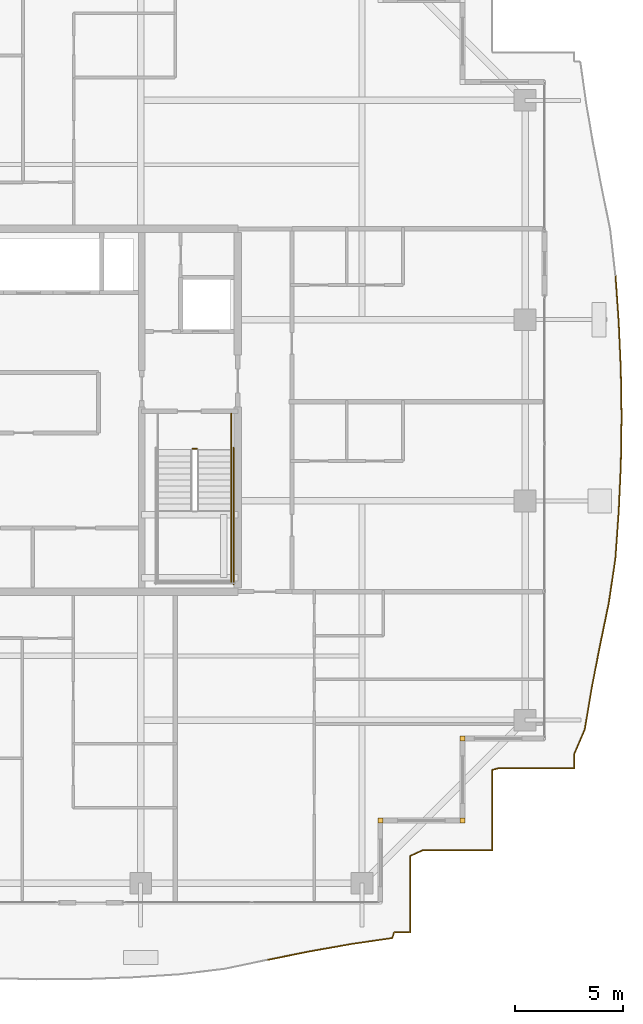
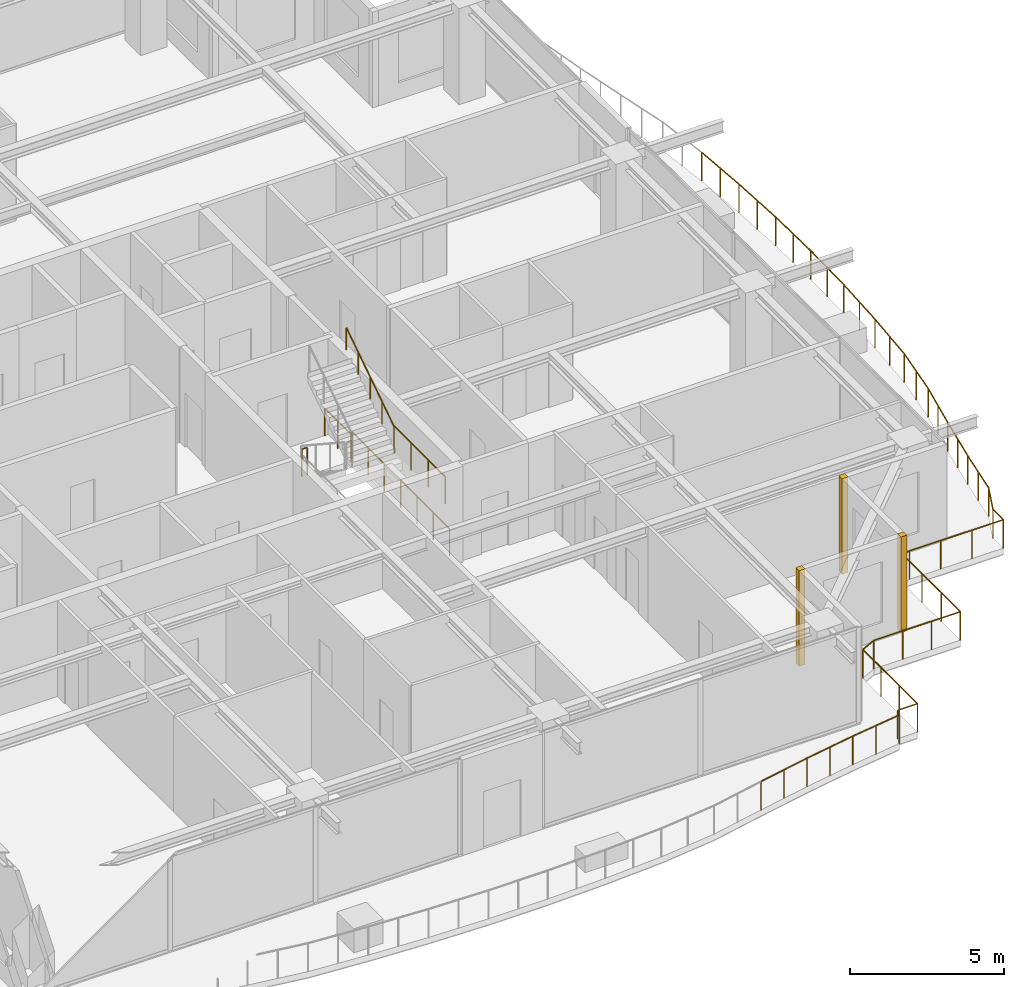
# One storey, part 41 of 42: 8 railings, 3 coverings.
"""IFC4 building model written with IfcOpenShell, lengths in metres."""

from ifc_helpers import new_model, si_unit, direction, frame, origin, origin_2d, place, context, subcontext, project, spatial, rectangle, circle, extrude, source, transform, mapped, material, layer, layer_set, type_object, element, save


model = new_model("IFC4")

# Units and contexts
model_context = context("Model", 3, precision=1e-05, world=origin(), true_north=direction((0.0, 1.0)))
body_context = subcontext(model_context, "Body", "Model", "MODEL_VIEW")
ifc_project = project(units=[si_unit("LENGTHUNIT", "METRE"), si_unit("AREAUNIT", "SQUARE_METRE"), si_unit("VOLUMEUNIT", "CUBIC_METRE"), si_unit("PLANEANGLEUNIT", "RADIAN"), si_unit("MASSUNIT", "GRAM", prefix="KILO")], contexts=[model_context])

# Site, building, storey
site_placement = place(None, origin())
site = spatial("IfcSite", under=ifc_project, at=site_placement, CompositionType="ELEMENT")
building_placement = place(site_placement, origin())
building = spatial("IfcBuilding", under=site, at=building_placement, Name="Serunith Strait Residences", CompositionType="ELEMENT")
storey_placement = place(building_placement, frame((0.0, 0.0, 309.64990234375)))
storey = spatial("IfcBuildingStorey", under=building, at=storey_placement, Name="L77", CompositionType="ELEMENT", Elevation=309.64990234375)

# Railings
ifc_material_1 = material(Name="Stainless Steel & Laminated Glass Balustrade", Category="steel")
railing_type_1 = type_object("IfcRailingType", Name="RLG-BALC-1150", PredefinedType="BALUSTRADE", material=ifc_material_1)
railing_1_placement = place(storey_placement, frame((58.889892578125, 31.4609375, -0.0498046875)))
element("IfcRailing", 1, at=railing_1_placement, inside=storey, type_object=railing_type_1, Name="L77 Swirling Balcony Perimeter Balustrade 4", PredefinedType="BALUSTRADE", context=body_context, shape_type="SweptSolid", body=[
    extrude(circle(Radius=0.02392578125, at=origin_2d()), frame((0.000244140625, -0.001953125, 1.1259765625), z_axis=(0.068721030933, -0.997635915506, 0.0), x_axis=(0.997635915506, 0.068721030933, 0.0)), (0.0, 0.0, 1.0), 2.166748046875),
    extrude(circle(Radius=0.02392578125, at=origin_2d()), frame((0.149169921875, -2.16748046875, 1.1259765625), z_axis=(0.044691557416, -0.999000833181, 0.0), x_axis=(0.999000833181, 0.044691557416, 0.0)), (0.0, 0.0, 1.0), 2.192138671875),
    extrude(circle(Radius=0.02392578125, at=origin_2d()), frame((0.247314453125, -4.361328125, 1.1259765625), z_axis=(0.015911346065, -0.99987340652, 0.0), x_axis=(0.99987340652, 0.015911346065, 0.0)), (0.0, 0.0, 1.0), 2.20556640625),
    extrude(circle(Radius=0.02392578125, at=origin_2d()), frame((0.282470703125, -6.570556640625, 1.1259765625), z_axis=(-0.015141405399, -0.99988536235, 0.0), x_axis=(0.99988536235, -0.015141405399, 0.0)), (0.0, 0.0, 1.0), 2.205078125),
    extrude(circle(Radius=0.02392578125, at=origin_2d()), frame((0.2490234375, -8.779296875, 1.1259765625), z_axis=(-0.045296596262, -0.998973582417, 0.0), x_axis=(0.998973582417, -0.045296596262, 0.0)), (0.0, 0.0, 1.0), 2.189697265625),
    extrude(circle(Radius=0.02392578125, at=origin_2d()), frame((0.1494140625, -10.970703125, 1.1259765625), z_axis=(-0.071110899356, -0.997468415536, 0.0), x_axis=(0.997468415536, -0.071110899356, 0.0)), (0.0, 0.0, 1.0), 2.162353515625),
    extrude(circle(Radius=0.02392578125, at=origin_2d()), frame((-0.004638671875, -13.131591796875, 1.1259765625), z_axis=(-0.147053005237, -0.989128613301, 0.0), x_axis=(0.989128613301, -0.147053005237, 0.0)), (0.0, 0.0, 1.0), 2.10107421875),
    extrude(circle(Radius=0.02099609375, at=origin_2d()), origin(), (0.0, 0.0, 1.0), 1.099853515625),
    extrude(circle(Radius=0.02099609375, at=origin_2d()), frame((0.07470703125, -1.082763671875, 0.0)), (0.0, 0.0, 1.0), 1.099853515625),
    extrude(circle(Radius=0.02099609375, at=origin_2d()), frame((0.149169921875, -2.16552734375, 0.0)), (0.0, 0.0, 1.0), 1.099853515625),
    extrude(circle(Radius=0.02099609375, at=origin_2d()), frame((0.1982421875, -3.262451171875, 0.0)), (0.0, 0.0, 1.0), 1.099853515625),
    extrude(circle(Radius=0.02099609375, at=origin_2d()), frame((0.247314453125, -4.359375, 0.0)), (0.0, 0.0, 1.0), 1.099853515625),
    extrude(circle(Radius=0.02099609375, at=origin_2d()), frame((0.264892578125, -5.4638671875, 0.0)), (0.0, 0.0, 1.0), 1.099853515625),
    extrude(circle(Radius=0.02099609375, at=origin_2d()), frame((0.282470703125, -6.568603515625, 0.0)), (0.0, 0.0, 1.0), 1.099853515625),
    extrude(circle(Radius=0.02099609375, at=origin_2d()), frame((0.265625, -7.6728515625, 0.0)), (0.0, 0.0, 1.0), 1.099853515625),
    extrude(circle(Radius=0.02099609375, at=origin_2d()), frame((0.2490234375, -8.77734375, 0.0)), (0.0, 0.0, 1.0), 1.099853515625),
    extrude(circle(Radius=0.02099609375, at=origin_2d()), frame((0.19921875, -9.873046875, 0.0)), (0.0, 0.0, 1.0), 1.099853515625),
    extrude(circle(Radius=0.02099609375, at=origin_2d()), frame((0.149658203125, -10.96875, 0.0)), (0.0, 0.0, 1.0), 1.099853515625),
    extrude(circle(Radius=0.02099609375, at=origin_2d()), frame((0.07275390625, -12.04931640625, 0.0)), (0.0, 0.0, 1.0), 1.099853515625),
    extrude(circle(Radius=0.02099609375, at=origin_2d()), frame((-0.00439453125, -13.129638671875, 0.0)), (0.0, 0.0, 1.0), 1.099853515625),
    extrude(circle(Radius=0.02099609375, at=origin_2d()), frame((-0.1591796875, -14.1708984375, 0.0)), (0.0, 0.0, 1.0), 1.099853515625),
    extrude(circle(Radius=0.02099609375, at=origin_2d()), frame((-0.31396484375, -15.2119140625, 0.0)), (0.0, 0.0, 1.0), 1.099853515625),
])
railing_2_placement = place(storey_placement, frame((58.575927734375, 16.2490234375, -0.0498046875)))
element("IfcRailing", 2, at=railing_2_placement, inside=storey, type_object=railing_type_1, Name="L77 Swirling Balcony Perimeter Balustrade 5", PredefinedType="BALUSTRADE", context=body_context, shape_type="SweptSolid", body=[
    extrude(circle(Radius=0.02392578125, at=origin_2d()), frame((-0.00048828125, -0.001953125, 1.1259765625), z_axis=(-0.203536311286, -0.979067398083, 0.0), x_axis=(0.979067398083, -0.203536311286, 0.0)), (0.0, 0.0, 1.0), 2.025634765625),
    extrude(circle(Radius=0.02392578125, at=origin_2d()), frame((-0.41357421875, -1.989013671875, 1.1259765625), z_axis=(-0.19047568928, -0.981691912869, 0.0), x_axis=(0.981691912869, -0.19047568928, 0.0)), (0.0, 0.0, 1.0), 1.969970703125),
    extrude(circle(Radius=0.02392578125, at=origin_2d()), frame((-0.789306640625, -3.9267578125, 1.1259765625), z_axis=(-0.165933472586, -0.98613694925, 0.0), x_axis=(0.98613694925, -0.165933472586, 0.0)), (0.0, 0.0, 1.0), 1.9306640625),
    extrude(circle(Radius=0.02392578125, at=origin_2d()), frame((-1.11083984375, -5.834716796875, 1.1259765625), z_axis=(-0.395959532566, -0.918267961202, 0.0), x_axis=(0.918267961202, -0.395959532566, 0.0)), (0.0, 0.0, 1.0), 1.222900390625),
    extrude(circle(Radius=0.02392578125, at=origin_2d()), frame((-1.595947265625, -6.96142578125, 1.1259765625), z_axis=(0.0, -1.0, 0.0), x_axis=(1.0, 0.0, 0.0)), (0.0, 0.0, 1.0), 0.66552734375),
    extrude(circle(Radius=0.02392578125, at=origin_2d()), frame((-1.597900390625, -7.62890625, 1.1259765625), z_axis=(-1.0, 0.0, 0.0), x_axis=(0.0, -1.0, 0.0)), (0.0, 0.0, 1.0), 3.503173828125),
    extrude(circle(Radius=0.02392578125, at=origin_2d()), frame((-5.10498046875, -7.62939453125, 1.1259765625), z_axis=(-0.969952015202, -0.243296297147, 0.0), x_axis=(0.243296297147, -0.969952015202, 0.0)), (0.0, 0.0, 1.0), 0.298095703125),
    extrude(circle(Radius=0.02392578125, at=origin_2d()), frame((-5.39599609375, -7.704345703125, 1.1259765625), z_axis=(0.0, -1.0, 0.0), x_axis=(1.0, 0.0, 0.0)), (0.0, 0.0, 1.0), 3.72265625),
    extrude(circle(Radius=0.02099609375, at=origin_2d()), origin(), (0.0, 0.0, 1.0), 1.099853515625),
    extrude(circle(Radius=0.02099609375, at=origin_2d()), frame((-0.20654296875, -0.99365234375, 0.0)), (0.0, 0.0, 1.0), 1.099853515625),
    extrude(circle(Radius=0.02099609375, at=origin_2d()), frame((-0.4130859375, -1.987060546875, 0.0)), (0.0, 0.0, 1.0), 1.099853515625),
    extrude(circle(Radius=0.02099609375, at=origin_2d()), frame((-0.60107421875, -2.9560546875, 0.0)), (0.0, 0.0, 1.0), 1.099853515625),
    extrude(circle(Radius=0.02099609375, at=origin_2d()), frame((-0.7890625, -3.9248046875, 0.0)), (0.0, 0.0, 1.0), 1.099853515625),
    extrude(circle(Radius=0.02099609375, at=origin_2d()), frame((-0.94970703125, -4.87890625, 0.0)), (0.0, 0.0, 1.0), 1.099853515625),
    extrude(circle(Radius=0.02099609375, at=origin_2d()), frame((-1.110107421875, -5.832763671875, 0.0)), (0.0, 0.0, 1.0), 1.099853515625),
    extrude(circle(Radius=0.02099609375, at=origin_2d()), frame((-1.595947265625, -6.95947265625, 0.0)), (0.0, 0.0, 1.0), 1.099853515625),
    extrude(circle(Radius=0.02099609375, at=origin_2d()), frame((-1.595947265625, -7.62890625, 0.0)), (0.0, 0.0, 1.0), 1.099853515625),
    extrude(circle(Radius=0.02099609375, at=origin_2d()), frame((-2.764892578125, -7.62890625, 0.0)), (0.0, 0.0, 1.0), 1.099853515625),
    extrude(circle(Radius=0.02099609375, at=origin_2d()), frame((-3.93408203125, -7.62890625, 0.0)), (0.0, 0.0, 1.0), 1.099853515625),
    extrude(circle(Radius=0.02099609375, at=origin_2d()), frame((-5.10302734375, -7.62890625, 0.0)), (0.0, 0.0, 1.0), 1.099853515625),
    extrude(circle(Radius=0.02099609375, at=origin_2d()), frame((-5.39599609375, -7.702392578125, 0.0)), (0.0, 0.0, 1.0), 1.099853515625),
    extrude(circle(Radius=0.02099609375, at=origin_2d()), frame((-5.39599609375, -8.944580078125, 0.0)), (0.0, 0.0, 1.0), 1.099853515625),
    extrude(circle(Radius=0.02099609375, at=origin_2d()), frame((-5.39599609375, -10.186767578125, 0.0)), (0.0, 0.0, 1.0), 1.099853515625),
    extrude(circle(Radius=0.02099609375, at=origin_2d()), frame((-5.39599609375, -11.428955078125, 0.0)), (0.0, 0.0, 1.0), 1.099853515625),
])
railing_3_placement = place(storey_placement, frame((53.179931640625, 4.820068359375, -0.0498046875)))
element("IfcRailing", 3, at=railing_3_placement, inside=storey, type_object=railing_type_1, Name="L77 Swirling Balcony Perimeter Balustrade 6", PredefinedType="BALUSTRADE", context=body_context, shape_type="SweptSolid", body=[
    extrude(circle(Radius=0.02392578125, at=origin_2d()), frame((-0.001953125, 0.0, 1.1259765625), z_axis=(-1.0, 0.0, 0.0), x_axis=(0.0, -1.0, 0.0)), (0.0, 0.0, 1.0), 3.22998046875),
    extrude(circle(Radius=0.02392578125, at=origin_2d()), frame((-3.235595703125, -0.0009765625, 1.1259765625), z_axis=(-0.90411060737, -0.427298501801, 0.0), x_axis=(0.427298501801, -0.90411060737, 0.0)), (0.0, 0.0, 1.0), 0.622314453125),
    extrude(circle(Radius=0.02392578125, at=origin_2d()), frame((-3.800048828125, -0.26953125, 1.1259765625), z_axis=(0.0, -1.0, 0.0), x_axis=(1.0, 0.0, 0.0)), (0.0, 0.0, 1.0), 3.528564453125),
    extrude(circle(Radius=0.02392578125, at=origin_2d()), frame((-3.802001953125, -3.800048828125, 1.1259765625), z_axis=(-1.0, 0.0, 0.0), x_axis=(0.0, -1.0, 0.0)), (0.0, 0.0, 1.0), 0.738525390625),
    extrude(circle(Radius=0.02392578125, at=origin_2d()), frame((-4.543212890625, -3.802001953125, 1.1259765625), z_axis=(-0.311970444134, -0.950091807136, 0.0), x_axis=(0.950091807136, -0.311970444134, 0.0)), (0.0, 0.0, 1.0), 0.271484375),
    extrude(circle(Radius=0.02392578125, at=origin_2d()), frame((-4.63037109375, -4.06201171875, 1.1259765625), z_axis=(-0.989477539916, -0.144686550864, 0.0), x_axis=(0.144686550864, -0.989477539916, 0.0)), (0.0, 0.0, 1.0), 1.9111328125),
    extrude(circle(Radius=0.02392578125, at=origin_2d()), frame((-6.525390625, -4.339111328125, 1.1259765625), z_axis=(-0.984727786666, -0.17410108032, 0.0), x_axis=(0.17410108032, -0.984727786666, 0.0)), (0.0, 0.0, 1.0), 1.936767578125),
    extrude(circle(Radius=0.02392578125, at=origin_2d()), frame((-8.4365234375, -4.67724609375, 1.1259765625), z_axis=(-0.980252954779, -0.197747679248, 0.0), x_axis=(0.197747679248, -0.980252954779, 0.0)), (0.0, 0.0, 1.0), 1.981201171875),
    extrude(circle(Radius=0.02099609375, at=origin_2d()), origin(), (0.0, 0.0, 1.0), 1.099853515625),
    extrude(circle(Radius=0.02099609375, at=origin_2d()), frame((-1.077880859375, 0.0, 0.0)), (0.0, 0.0, 1.0), 1.099853515625),
    extrude(circle(Radius=0.02099609375, at=origin_2d()), frame((-2.156005859375, 0.0, 0.0)), (0.0, 0.0, 1.0), 1.099853515625),
    extrude(circle(Radius=0.02099609375, at=origin_2d()), frame((-3.23388671875, 0.0, 0.0)), (0.0, 0.0, 1.0), 1.099853515625),
    extrude(circle(Radius=0.02099609375, at=origin_2d()), frame((-3.800048828125, -0.267578125, 0.0)), (0.0, 0.0, 1.0), 1.099853515625),
    extrude(circle(Radius=0.02099609375, at=origin_2d()), frame((-3.800048828125, -1.445068359375, 0.0)), (0.0, 0.0, 1.0), 1.099853515625),
    extrude(circle(Radius=0.02099609375, at=origin_2d()), frame((-3.800048828125, -2.62255859375, 0.0)), (0.0, 0.0, 1.0), 1.099853515625),
    extrude(circle(Radius=0.02099609375, at=origin_2d()), frame((-3.800048828125, -3.800048828125, 0.0)), (0.0, 0.0, 1.0), 1.099853515625),
    extrude(circle(Radius=0.02099609375, at=origin_2d()), frame((-4.54248046875, -3.800048828125, 0.0)), (0.0, 0.0, 1.0), 1.099853515625),
    extrude(circle(Radius=0.02099609375, at=origin_2d()), frame((-4.62841796875, -4.061767578125, 0.0)), (0.0, 0.0, 1.0), 1.099853515625),
    extrude(circle(Radius=0.02099609375, at=origin_2d()), frame((-5.575927734375, -4.2001953125, 0.0)), (0.0, 0.0, 1.0), 1.099853515625),
    extrude(circle(Radius=0.02099609375, at=origin_2d()), frame((-6.5234375, -4.3388671875, 0.0)), (0.0, 0.0, 1.0), 1.099853515625),
    extrude(circle(Radius=0.02099609375, at=origin_2d()), frame((-7.47900390625, -4.5078125, 0.0)), (0.0, 0.0, 1.0), 1.099853515625),
    extrude(circle(Radius=0.02099609375, at=origin_2d()), frame((-8.4345703125, -4.6767578125, 0.0)), (0.0, 0.0, 1.0), 1.099853515625),
    extrude(circle(Radius=0.02099609375, at=origin_2d()), frame((-9.40771484375, -4.873046875, 0.0)), (0.0, 0.0, 1.0), 1.099853515625),
    extrude(circle(Radius=0.02099609375, at=origin_2d()), frame((-10.380615234375, -5.0693359375, 0.0)), (0.0, 0.0, 1.0), 1.099853515625),
])
ifc_material_2 = material(Name="Brushed stainless steel 316L", Category="steel")
railing_type_2 = type_object("IfcRailingType", Name="RLG-STAIR-GUARD", PredefinedType="BALUSTRADE", material=ifc_material_2)
railing_4_placement = place(storey_placement, frame((41.10009765625, 20.570068359375, 2.025146484375)))
element("IfcRailing", 4, at=railing_4_placement, inside=storey, type_object=railing_type_2, Name="L77 ST-2 stair guard 4", PredefinedType="BALUSTRADE", context=body_context, shape_type="SweptSolid", body=[
    extrude(circle(Radius=0.02392578125, at=origin_2d()), frame((0.0, -0.001953125, 1.076171875), z_axis=(0.0, -1.0, 0.0), x_axis=(1.0, 0.0, 0.0)), (0.0, 0.0, 1.0), 3.316162109375),
    extrude(circle(Radius=0.02099609375, at=origin_2d()), origin(), (0.0, 0.0, 1.0), 1.050048828125),
    extrude(circle(Radius=0.02099609375, at=origin_2d()), frame((0.0, -1.106689453125, 0.0)), (0.0, 0.0, 1.0), 1.050048828125),
    extrude(circle(Radius=0.02099609375, at=origin_2d()), frame((0.0, -2.21337890625, 0.0)), (0.0, 0.0, 1.0), 1.050048828125),
    extrude(circle(Radius=0.02099609375, at=origin_2d()), frame((0.0, -3.320068359375, 0.0)), (0.0, 0.0, 1.0), 1.050048828125),
])
railing_5_placement = place(storey_placement, frame((39.300048828125, 23.419921875, 0.0)))
element("IfcRailing", 5, at=railing_5_placement, inside=storey, type_object=railing_type_2, Name="L77 ST-2 stair guard 7", PredefinedType="BALUSTRADE", context=body_context, shape_type="SweptSolid", body=[
    extrude(circle(Radius=0.02392578125, at=origin_2d()), frame((0.001953125, 0.0, 1.076171875), z_axis=(1.0, 0.0, 0.0), x_axis=(0.0, 1.0, 0.0)), (0.0, 0.0, 1.0), 0.196044921875),
    extrude(circle(Radius=0.02099609375, at=origin_2d()), origin(), (0.0, 0.0, 1.0), 1.050048828125),
    extrude(circle(Radius=0.02099609375, at=origin_2d()), frame((0.199951171875, 0.0, 0.0)), (0.0, 0.0, 1.0), 1.050048828125),
])
railing_6_placement = place(storey_placement, frame((41.10009765625, 25.050048828125, 0.0)))
element("IfcRailing", 6, at=railing_6_placement, inside=storey, type_object=railing_type_2, Name="L77 ST-2 stair guard 9", PredefinedType="BALUSTRADE", context=body_context, shape_type="SweptSolid", body=[
    extrude(circle(Radius=0.02392578125, at=origin_2d()), frame((0.0, -0.001953125, 1.076171875), z_axis=(0.0, -1.0, 0.0), x_axis=(1.0, 0.0, 0.0)), (0.0, 0.0, 1.0), 1.676025390625),
    extrude(circle(Radius=0.02099609375, at=origin_2d()), origin(), (0.0, 0.0, 1.0), 1.050048828125),
    extrude(circle(Radius=0.02099609375, at=origin_2d()), frame((0.0, -0.83984375, 0.0)), (0.0, 0.0, 1.0), 1.050048828125),
    extrude(circle(Radius=0.02099609375, at=origin_2d()), frame((0.0, -1.679931640625, 0.0)), (0.0, 0.0, 1.0), 1.050048828125),
])
railing_7_placement = place(storey_placement, frame((41.199951171875, 23.469970703125, 0.0)))
element("IfcRailing", 7, at=railing_7_placement, inside=storey, type_object=railing_type_2, Name="L77 ST-2 stair guard 11", PredefinedType="BALUSTRADE", context=body_context, shape_type="SweptSolid", body=[
    extrude(circle(Radius=0.02392578125, at=origin_2d()), frame((0.0, -0.001953125, 1.076171875), z_axis=(0.0, -1.0, 0.0), x_axis=(1.0, 0.0, 0.0)), (0.0, 0.0, 1.0), 6.316162109375),
    extrude(circle(Radius=0.02099609375, at=origin_2d()), origin(), (0.0, 0.0, 1.0), 1.050048828125),
    extrude(circle(Radius=0.02099609375, at=origin_2d()), frame((0.0, -1.05322265625, 0.0)), (0.0, 0.0, 1.0), 1.050048828125),
    extrude(circle(Radius=0.02099609375, at=origin_2d()), frame((0.0, -2.106689453125, 0.0)), (0.0, 0.0, 1.0), 1.050048828125),
    extrude(circle(Radius=0.02099609375, at=origin_2d()), frame((0.0, -3.16015625, 0.0)), (0.0, 0.0, 1.0), 1.050048828125),
    extrude(circle(Radius=0.02099609375, at=origin_2d()), frame((0.0, -4.21337890625, 0.0)), (0.0, 0.0, 1.0), 1.050048828125),
    extrude(circle(Radius=0.02099609375, at=origin_2d()), frame((0.0, -5.2666015625, 0.0)), (0.0, 0.0, 1.0), 1.050048828125),
    extrude(circle(Radius=0.02099609375, at=origin_2d()), frame((0.0, -6.320068359375, 0.0)), (0.0, 0.0, 1.0), 1.050048828125),
])
railing_type_3 = type_object("IfcRailingType", Name="RLG-STAIR-HR", PredefinedType="HANDRAIL", material=ifc_material_2)
railing_8_placement = place(storey_placement, frame((41.10009765625, 20.570068359375, 2.209228515625)))
element("IfcRailing", 8, at=railing_8_placement, inside=storey, type_object=railing_type_3, Name="L77 ST-2 stair handrail 2", PredefinedType="HANDRAIL", context=body_context, shape_type="SweptSolid", body=[
    extrude(circle(Radius=0.02392578125, at=origin_2d()), frame((0.0, 0.001708984375, 0.876953125), z_axis=(0.0, 0.834940924727, 0.550339579002), x_axis=(-1.0, 0.0, 0.0)), (0.0, 0.0, 1.0), 3.6845703125),
    extrude(circle(Radius=0.02099609375, at=origin_2d()), origin(), (0.0, 0.0, 1.0), 0.849853515625),
    extrude(circle(Radius=0.02099609375, at=origin_2d()), frame((0.0, 0.77001953125, 0.507568359375)), (0.0, 0.0, 1.0), 0.849853515625),
    extrude(circle(Radius=0.02099609375, at=origin_2d()), frame((0.0, 1.5400390625, 1.01513671875)), (0.0, 0.0, 1.0), 0.849853515625),
    extrude(circle(Radius=0.02099609375, at=origin_2d()), frame((0.0, 2.309814453125, 1.5224609375)), (0.0, 0.0, 1.0), 0.849853515625),
    extrude(circle(Radius=0.02099609375, at=origin_2d()), frame((0.0, 3.079833984375, 2.030029296875)), (0.0, 0.0, 1.0), 0.849853515625),
])

# Coverings
ifc_material_3 = material(Name="Pale-Champagne Anodised Aluminium", Category="aluminium")
ifc_layer = layer(ifc_material_3, 0.219970703125, Name="Pale-Champagne Anodised Aluminium")
ifc_layer_set = layer_set([ifc_layer], Name="Pale-Champagne Anodised Aluminium")
covering_type = type_object("IfcCoveringType", Name="COV-CORN-TRIM", PredefinedType="CLADDING", material=ifc_layer_set)
shared_shape = source(origin(), body_context, "Body", "SweptSolid", [
    extrude(rectangle(XDim=0.221923828125, YDim=0.221923828125, at=origin_2d()), origin(), (0.0, 0.0, 1.0), 3.77490234375),
])
for number, where, z_axis, x_axis, name in (
    (9, (48.0, 6.199951171875, 0.000244140625), (0.0, 0.0, 1.0), (1.0, 0.0, 0.0), "L77 Girih Serrated Corner Trim Post 02"),
    (10, (51.800048828125, 6.199951171875, 0.000244140625), (0.0, 0.0, 1.0), (1.0, 0.0, 0.0), "L77 Girih Serrated Corner Trim Post 03"),
    (11, (51.800048828125, 10.0, 0.000244140625), (0.0, 0.0, 1.0), (1.0, 0.0, 0.0), "L77 Girih Serrated Corner Trim Post 04"),
):
    element("IfcCovering", number, at=place(storey_placement, frame(where, z_axis=z_axis, x_axis=x_axis)), inside=storey, type_object=covering_type, Name=name, PredefinedType="CLADDING", context=body_context, shape_type="MappedRepresentation", body=[
        mapped(shared_shape, transform((0.0, 0.0, 0.0), scale=1.0)),
    ])

save(model, "model.ifc")
